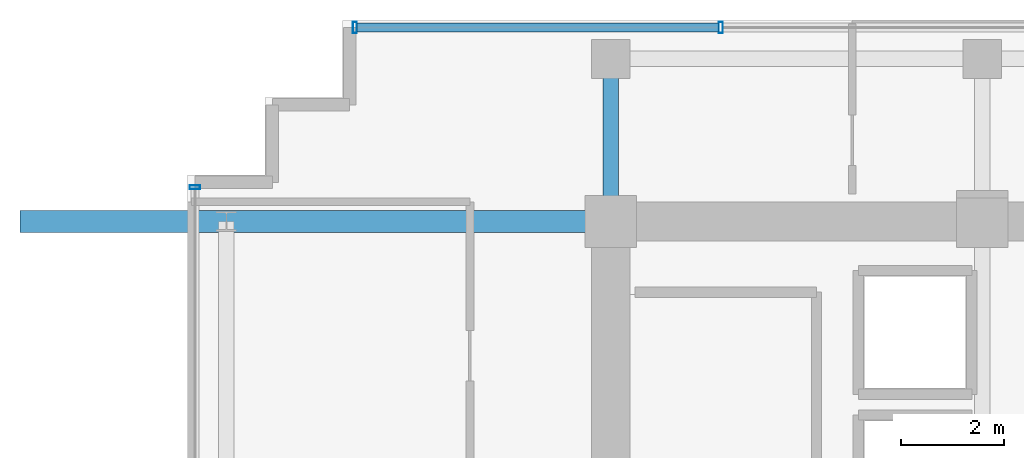
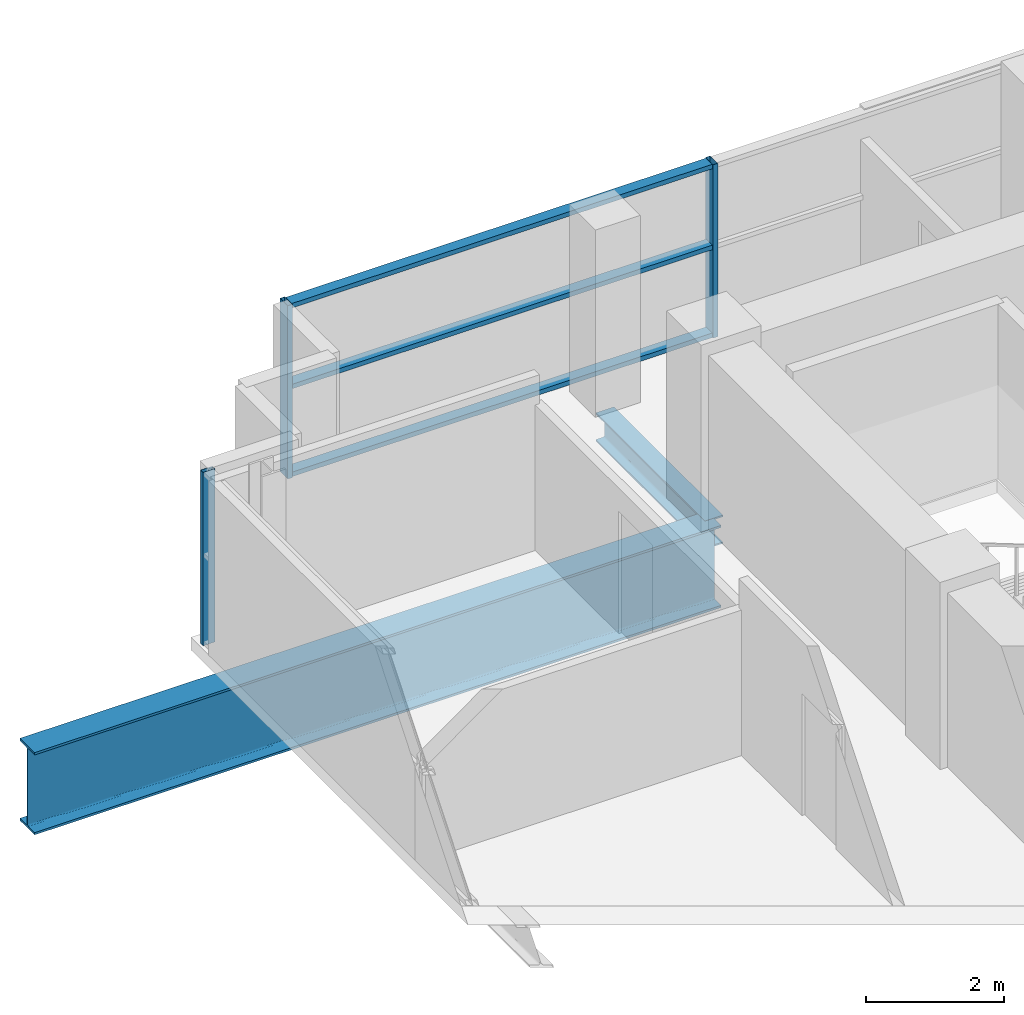
# One storey, part 10 of 23: 6 members, 2 beams, 2 elements without a shape of their own.
"""IFC4 building model written with IfcOpenShell, lengths in metres."""

from ifc_helpers import new_model, si_unit, direction, frame, origin, origin_2d, place, context, subcontext, project, spatial, hollow_rectangle, i_section, extrude, source, transform, mapped, material, layer, layer_set, material_profile, profile_set, type_object, element, aggregate, save


model = new_model("IFC4")

# Units and contexts
model_context = context("Model", 3, precision=1e-05, world=origin(), true_north=direction((0.0, 1.0)))
body_context = subcontext(model_context, "Body", "Model", "MODEL_VIEW")
ifc_project = project(units=[si_unit("LENGTHUNIT", "METRE"), si_unit("AREAUNIT", "SQUARE_METRE"), si_unit("VOLUMEUNIT", "CUBIC_METRE"), si_unit("PLANEANGLEUNIT", "RADIAN"), si_unit("MASSUNIT", "GRAM", prefix="KILO")], contexts=[model_context])

# Site, building, storey
site_placement = place(None, origin())
site = spatial("IfcSite", under=ifc_project, at=site_placement, CompositionType="ELEMENT")
building_placement = place(site_placement, origin())
building = spatial("IfcBuilding", under=site, at=building_placement, Name="Zarnakvel Exchange Tower", CompositionType="ELEMENT")
storey_placement = place(building_placement, frame((0.0, 0.0, 172.60009765625)))
storey = spatial("IfcBuildingStorey", under=building, at=storey_placement, Name="L48", CompositionType="ELEMENT", Elevation=172.60009765625)

# Beams
ifc_material_1 = material(Name="Steel S355", Category="steel")
ifc_material_profile_1 = material_profile(ifc_material_1, i_section(OverallWidth=0.300048828125, OverallDepth=0.5, WebThickness=0.014404296875, FlangeThickness=0.028076171875, FilletRadius=0.027099609375, at=origin_2d()))
ifc_profile_set_1 = profile_set([ifc_material_profile_1], Name="Steel S355")
beam_type_1 = type_object("IfcBeamType", Name="G-06", PredefinedType="BEAM", material=ifc_profile_set_1)
beam_1_placement = place(storey_placement, frame((-14.39990234375, 13.5, -0.47509765625), z_axis=(0.0, 1.0, 0.0), x_axis=(-1.0, 0.0, 0.0)))
element("IfcBeam", 1, at=beam_1_placement, inside=storey, type_object=beam_type_1, Name="L48 Tower N-S Frame Beam", PredefinedType="BEAM", context=body_context, shape_type="SweptSolid", body=[
    extrude(i_section(OverallWidth=0.300048828125, OverallDepth=0.5, WebThickness=0.014404296875, FlangeThickness=0.028076171875, FilletRadius=0.027099609375, at=origin_2d()), origin(), (0.0, 0.0, 1.0), 3.14990234375),
])
ifc_material_2 = material(Name="Steel S460", Category="steel")
ifc_material_profile_2 = material_profile(ifc_material_2, i_section(OverallWidth=0.419921875, OverallDepth=1.449951171875, WebThickness=0.02392578125, FlangeThickness=0.0400390625, FilletRadius=0.030029296875, at=origin_2d()))
ifc_profile_set_2 = profile_set([ifc_material_profile_2], Name="Steel S460")
beam_type_2 = type_object("IfcBeamType", Name="TG-01", PredefinedType="BEAM", material=ifc_profile_set_2)
beam_2_placement = place(storey_placement, frame((-25.85009765625, 13.5, -0.9501953125), z_axis=(1.0, 0.0, 0.0), x_axis=(0.0, 1.0, 0.0)))
element("IfcBeam", 2, at=beam_2_placement, inside=storey, type_object=beam_type_2, Name="L48 Setback E-W Transfer Girder TW-F", PredefinedType="BEAM", context=body_context, shape_type="SweptSolid", body=[
    extrude(i_section(OverallWidth=0.419921875, OverallDepth=1.449951171875, WebThickness=0.02392578125, FlangeThickness=0.0400390625, FilletRadius=0.030029296875, at=origin_2d()), origin(), (0.0, 0.0, 1.0), 11.4501953125),
])

# Curtain wall, member
ifc_material_3 = material(Name="Architectural Bronze Anodised Aluminium", Category="aluminium")
ifc_layer_1 = layer(ifc_material_3, 0.199951171875)
ifc_layer_set_1 = layer_set([ifc_layer_1], Name="Architectural Bronze Anodised Aluminium")
curtain_wall_type_1 = type_object("IfcCurtainWallType", Name="CW-04", PredefinedType="NOTDEFINED", material=ifc_layer_set_1)
curtain_wall_1_placement = place(storey_placement, origin())
curtain_wall_1 = element("IfcCurtainWall", 3, at=curtain_wall_1_placement, inside=storey, type_object=curtain_wall_type_1, Name="L48 Curtain Wall CW-L48-WN (CW-04)", PredefinedType="NOTDEFINED")
ifc_material_profile_3 = material_profile(ifc_material_3, hollow_rectangle(XDim=0.199951171875, YDim=0.074951171875, WallThickness=0.0048828125, at=origin_2d()))
ifc_profile_set_3 = profile_set([ifc_material_profile_3], Name="Architectural Bronze Anodised Aluminium")
member_type_1 = type_object("IfcMemberType", Name="CWM-04", PredefinedType="MULLION", material=ifc_profile_set_3)
shared_shape_1 = source(origin(), body_context, "Body", "SweptSolid", [
    extrude(hollow_rectangle(XDim=0.199951171875, YDim=0.074951171875, WallThickness=0.0048828125, at=origin_2d()), origin(), (0.0, 0.0, 1.0), 3.054931640625),
])
member_1_placement = place(storey_placement, frame((-22.4599609375, 14.16259765625, 0.0), z_axis=(0.0, 0.0, 1.0), x_axis=(-1.0, 0.0, 0.0)))
member_1 = element("IfcMember", 4, at=member_1_placement, type_object=member_type_1, Name="CW-04 mullion 3", PredefinedType="MULLION", context=body_context, shape_type="MappedRepresentation", body=[
    mapped(shared_shape_1, transform((0.0, 0.0, 0.0), x_axis=(1.0, 0.0, 0.0), y_axis=(0.0, 1.0, 0.0), z_axis=(0.0, 0.0, 1.0), scale=1.0)),
])
aggregate(curtain_wall_1, [member_1])

# Curtain wall, members
ifc_layer_2 = layer(ifc_material_3, 0.219970703125)
ifc_layer_set_2 = layer_set([ifc_layer_2], Name="Architectural Bronze Anodised Aluminium")
curtain_wall_type_2 = type_object("IfcCurtainWallType", Name="CW-03", PredefinedType="NOTDEFINED", material=ifc_layer_set_2)
curtain_wall_2_placement = place(storey_placement, origin())
curtain_wall_2 = element("IfcCurtainWall", 5, at=curtain_wall_2_placement, inside=storey, type_object=curtain_wall_type_2, Name="L48 Curtain Wall CW-L48-N1 (CW-03)", PredefinedType="NOTDEFINED")
ifc_material_profile_4 = material_profile(ifc_material_3, hollow_rectangle(XDim=0.219970703125, YDim=0.080078125, WallThickness=0.0048828125, at=origin_2d()))
ifc_profile_set_4 = profile_set([ifc_material_profile_4], Name="Architectural Bronze Anodised Aluminium")
member_type_2 = type_object("IfcMemberType", Name="CWM-03", PredefinedType="MULLION", material=ifc_profile_set_4)
shared_shape_2 = source(origin(), body_context, "Body", "SweptSolid", [
    extrude(hollow_rectangle(XDim=0.219970703125, YDim=0.080078125, WallThickness=0.0048828125, at=origin_2d()), origin(), (0.0, 0.0, 1.0), 3.054931640625),
])
member_2_placement = place(storey_placement, frame((-19.360107421875, 17.260009765625, 0.0), z_axis=(0.0, 0.0, 1.0), x_axis=(0.0, 1.0, 0.0)))
member_2 = element("IfcMember", 6, at=member_2_placement, type_object=member_type_2, Name="CW-03 mullion 1", PredefinedType="MULLION", context=body_context, shape_type="MappedRepresentation", body=[
    mapped(shared_shape_2, transform((0.0, 0.0, 0.0), x_axis=(1.0, 0.0, 0.0), y_axis=(0.0, 1.0, 0.0), z_axis=(0.0, 0.0, 1.0), scale=1.0)),
])
member_3_placement = place(storey_placement, frame((-12.2666015625, 17.260009765625, 0.0), z_axis=(0.0, 0.0, 1.0), x_axis=(0.0, 1.0, 0.0)))
member_3 = element("IfcMember", 7, at=member_3_placement, type_object=member_type_2, Name="CW-03 mullion 2", PredefinedType="MULLION", context=body_context, shape_type="MappedRepresentation", body=[
    mapped(shared_shape_2, transform((0.0, 0.0, 0.0), x_axis=(1.0, 0.0, 0.0), y_axis=(0.0, 1.0, 0.0), z_axis=(0.0, 0.0, 1.0), scale=1.0)),
])
ifc_material_profile_5 = material_profile(ifc_material_3, hollow_rectangle(XDim=0.179931640625, YDim=0.080078125, WallThickness=0.00390625, at=origin_2d()))
ifc_profile_set_5 = profile_set([ifc_material_profile_5], Name="Architectural Bronze Anodised Aluminium")
member_type_3 = type_object("IfcMemberType", Name="CWT-03", PredefinedType="USERDEFINED", material=ifc_profile_set_5)
shared_shape_3 = source(origin(), body_context, "Body", "SweptSolid", [
    extrude(hollow_rectangle(XDim=0.179931640625, YDim=0.080078125, WallThickness=0.00390625, at=origin_2d()), origin(), (0.0, 0.0, 1.0), 7.013427734375),
])
member_4_placement = place(storey_placement, frame((-19.320068359375, 17.260009765625, 0.039794921875), z_axis=(1.0, 0.0, 0.0), x_axis=(0.0, 1.0, 0.0)))
member_4 = element("IfcMember", 8, at=member_4_placement, type_object=member_type_3, Name="CW-03 transom 1.1", ObjectType="TRANSOM", PredefinedType="USERDEFINED", context=body_context, shape_type="MappedRepresentation", body=[
    mapped(shared_shape_3, transform((0.0, 0.0, 0.0), x_axis=(1.0, 0.0, 0.0), y_axis=(0.0, 1.0, 0.0), z_axis=(0.0, 0.0, 1.0), scale=1.0)),
])
member_5_placement = place(storey_placement, frame((-19.320068359375, 17.260009765625, 1.588623046875), z_axis=(1.0, 0.0, 0.0), x_axis=(0.0, 1.0, 0.0)))
member_5 = element("IfcMember", 9, at=member_5_placement, type_object=member_type_3, Name="CW-03 transom 1.2", ObjectType="TRANSOM", PredefinedType="USERDEFINED", context=body_context, shape_type="MappedRepresentation", body=[
    mapped(shared_shape_3, transform((0.0, 0.0, 0.0), x_axis=(1.0, 0.0, 0.0), y_axis=(0.0, 1.0, 0.0), z_axis=(0.0, 0.0, 1.0), scale=1.0)),
])
member_6_placement = place(storey_placement, frame((-19.320068359375, 17.260009765625, 3.014892578125), z_axis=(1.0, 0.0, 0.0), x_axis=(0.0, 1.0, 0.0)))
member_6 = element("IfcMember", 10, at=member_6_placement, type_object=member_type_3, Name="CW-03 transom 1.3", ObjectType="TRANSOM", PredefinedType="USERDEFINED", context=body_context, shape_type="MappedRepresentation", body=[
    mapped(shared_shape_3, transform((0.0, 0.0, 0.0), x_axis=(1.0, 0.0, 0.0), y_axis=(0.0, 1.0, 0.0), z_axis=(0.0, 0.0, 1.0), scale=1.0)),
])
aggregate(curtain_wall_2, [member_2, member_3, member_4, member_5, member_6])

save(model, "model.ifc")
